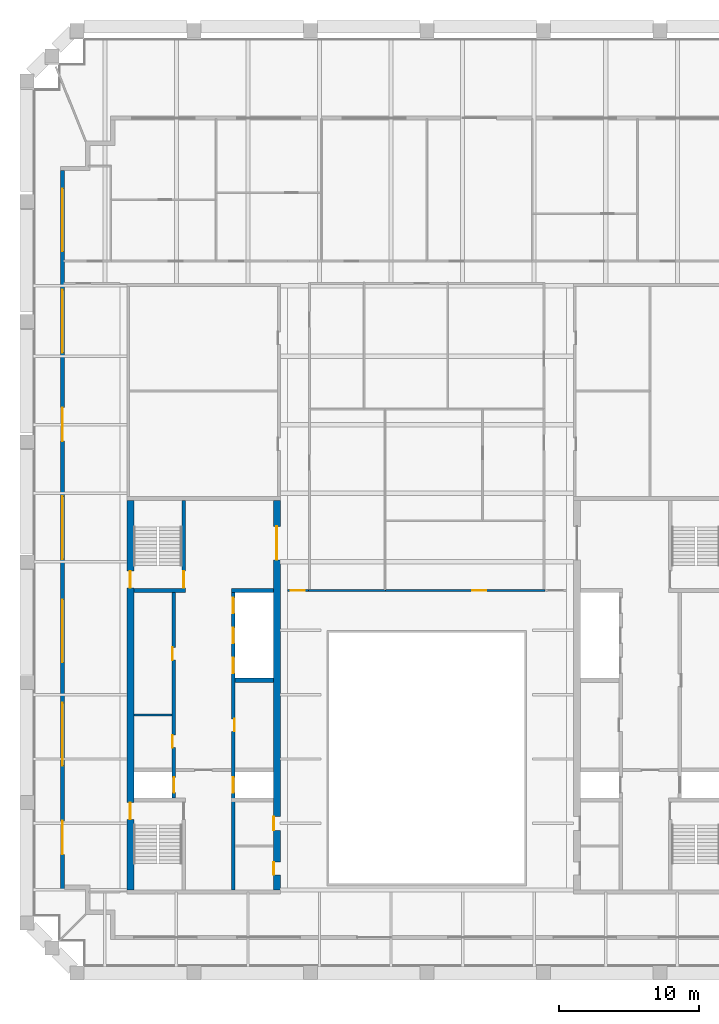
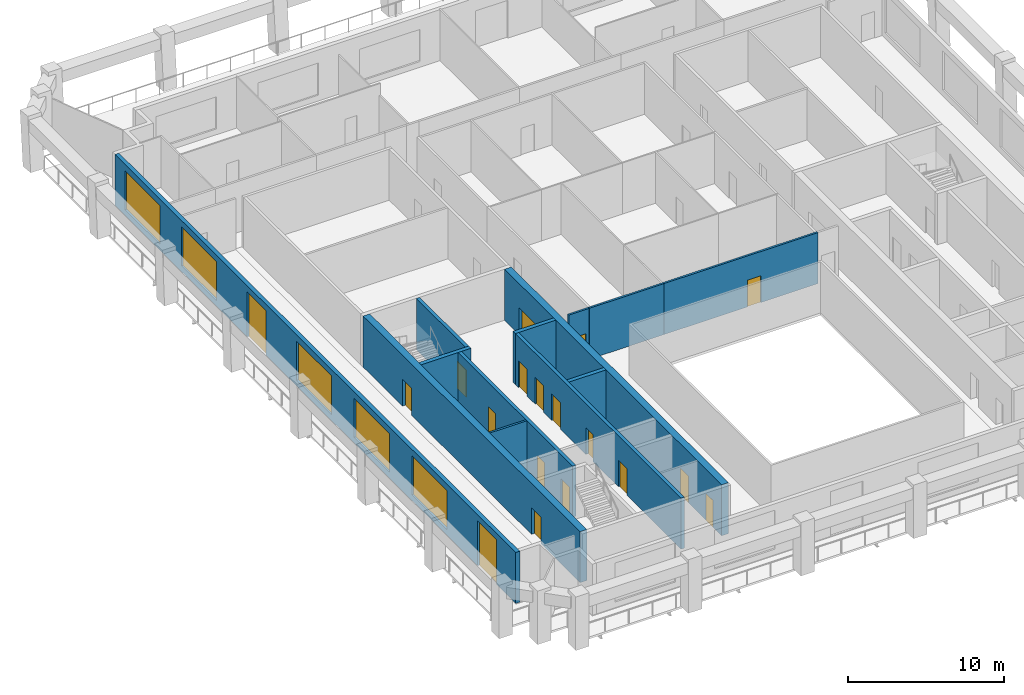
# One storey, part 3 of 8: 18 doors, 13 walls, 5 windows, 23 openings.
"""IFC4 building model written with IfcOpenShell, lengths in metres."""

import ifcopenshell
import ifcopenshell.guid

model = None  # the IFC model being written
_history = None  # IfcOwnerHistory: only IFC2X3 demands one
_inside = {}  # id of a spatial element -> (the spatial element, [elements in it])
_under = {}  # id of a project, library or spatial element -> (it, [spatial elements below it])
_declared = {}  # id of a project -> (the project, [libraries it declares])
_typed = {}  # id of a type object -> (the type object, [elements of that type])
_made_of = {}  # id of a material, layer set ... -> (it, [elements and type objects made of it])


def new_model(schema):
    """Start an empty IFC model of exactly this schema.

    Asked for "IFC4X3", IfcOpenShell would pick the latest addendum, in which some entities
    have other attributes; the version numbers below select the first issue.
    IFC2X3 requires an IfcOwnerHistory on every rooted entity: one is made here for all.
    """
    global model, _history
    if schema == "IFC4X3":
        model = ifcopenshell.file(schema_version=(4, 3, 0, 0))
    else:
        model = ifcopenshell.file(schema=schema)
    _inside.clear()
    _under.clear()
    _declared.clear()
    _typed.clear()
    _made_of.clear()
    _history = None
    if model.schema == "IFC2X3":
        org = make("IfcOrganization", Name="unknown")
        user = make(
            "IfcPersonAndOrganization",
            ThePerson=make("IfcPerson", FamilyName="unknown"),
            TheOrganization=org,
        )
        app = make(
            "IfcApplication",
            ApplicationDeveloper=org,
            Version="unknown",
            ApplicationFullName="unknown",
            ApplicationIdentifier="unknown",
        )
        _history = make(
            "IfcOwnerHistory",
            OwningUser=user,
            OwningApplication=app,
            ChangeAction="ADDED",
            CreationDate=0,
        )
    return model


def make(cls, **values):
    """One entity of the class cls with the attributes given. An attribute that is None is left unset."""
    return model.create_entity(
        cls, **{name: value for name, value in values.items() if value is not None}
    )


def rooted(cls, **values):
    """An entity with a GlobalId (a new one), such as an element, a storey or a relation."""
    return make(cls, GlobalId=ifcopenshell.guid.new(), OwnerHistory=_history, **values)


def si_unit(unit_type, name, prefix=None):
    """IfcSIUnit, for example si_unit("LENGTHUNIT", "METRE", prefix="MILLI")."""
    return make("IfcSIUnit", UnitType=unit_type, Prefix=prefix, Name=name)


def assignment(units):
    """IfcUnitAssignment: the units of a project."""
    return None if units is None else make("IfcUnitAssignment", Units=units)


def point(xyz):
    """IfcCartesianPoint."""
    return None if xyz is None else make("IfcCartesianPoint", Coordinates=xyz)


def direction(xyz):
    """IfcDirection."""
    return None if xyz is None else make("IfcDirection", DirectionRatios=xyz)


def frame(location, z_axis=None, x_axis=None):
    """IfcAxis2Placement3D, a coordinate frame: its origin and axes. An axis left out is left unset."""
    return make(
        "IfcAxis2Placement3D",
        Location=point(location),
        Axis=direction(z_axis),
        RefDirection=direction(x_axis),
    )


def frame_2d(location, x_axis=None):
    """IfcAxis2Placement2D, a coordinate frame in the plane: its origin and x axis."""
    return make(
        "IfcAxis2Placement2D", Location=point(location), RefDirection=direction(x_axis)
    )


def origin():
    """The frame at (0, 0, 0) with its axes left unset."""
    return frame((0.0, 0.0, 0.0))


def place(relative_to, where):
    """IfcLocalPlacement: puts the frame where relative to a parent placement (None: the world)."""
    return make(
        "IfcLocalPlacement", PlacementRelTo=relative_to, RelativePlacement=where
    )


def context(
    kind, dimensions, precision=None, world=None, true_north=None, identifier=None
):
    """IfcGeometricRepresentationContext, for example the 3D "Model" context."""
    return make(
        "IfcGeometricRepresentationContext",
        ContextIdentifier=identifier,
        ContextType=kind,
        CoordinateSpaceDimension=dimensions,
        Precision=precision,
        WorldCoordinateSystem=world,
        TrueNorth=true_north,
    )


def subcontext(parent, identifier, kind, view, scale=None):
    """IfcGeometricRepresentationSubContext, for example "Body" below "Model"."""
    return make(
        "IfcGeometricRepresentationSubContext",
        ContextIdentifier=identifier,
        ContextType=kind,
        ParentContext=parent,
        TargetScale=scale,
        TargetView=view,
    )


def project(units=None, contexts=None):
    """IfcProject with its units and contexts."""
    return rooted(
        "IfcProject",
        Name="project",
        RepresentationContexts=contexts,
        UnitsInContext=assignment(units),
    )


def spatial(cls, under=None, at=None, **own):
    """A site, building, storey or space (cls), placed at a placement, below another one or the project."""
    s = rooted(cls, ObjectPlacement=at, **own)
    if under is not None:
        _under.setdefault(under.id(), (under, []))[1].append(s)
    return s


def profile(cls, at=None, kind="AREA", **sizes):
    """A parametric profile (cls). Its sizes go by their IFC names, for example OverallWidth=200.0."""
    return make(cls, ProfileType=kind, Position=at, **sizes)


def rectangle(**sizes):
    """IfcRectangleProfileDef."""
    return profile("IfcRectangleProfileDef", **sizes)


def extrude(swept, where, along, depth):
    """IfcExtrudedAreaSolid: the profile swept, set in the frame where, extruded along a direction by depth."""
    return make(
        "IfcExtrudedAreaSolid",
        SweptArea=swept,
        Position=where,
        ExtrudedDirection=direction(along),
        Depth=depth,
    )


def shape(context_of_items, identifier, shape_type, items):
    """IfcShapeRepresentation: the items that make up one representation, for example the "Body"."""
    return make(
        "IfcShapeRepresentation",
        ContextOfItems=context_of_items,
        RepresentationIdentifier=identifier,
        RepresentationType=shape_type,
        Items=items,
    )


def material(Name=None, Category=None):
    """IfcMaterial."""
    return make("IfcMaterial", Name=Name, Category=Category)


def layer(
    of_material, thickness, ventilated=None, Name=None, Category=None, Priority=None
):
    """IfcMaterialLayer: one layer of a wall or slab, of a material (None: an air gap)."""
    return make(
        "IfcMaterialLayer",
        Material=of_material,
        LayerThickness=thickness,
        IsVentilated=ventilated,
        Name=Name,
        Category=Category,
        Priority=Priority,
    )


def layer_set(layers, Name=None):
    """IfcMaterialLayerSet."""
    return make("IfcMaterialLayerSet", MaterialLayers=layers, LayerSetName=Name)


def made_of(thing, what):
    """Note that an element or type object is made of a material, layer set ...; save() writes the relation."""
    if what is not None:
        _made_of.setdefault(what.id(), (what, []))[1].append(thing)
    return thing


def type_object(cls, material=None, **own):
    """A type object (cls), such as IfcWallType, which elements share."""
    return made_of(rooted(cls, **own), material)


def element(
    cls,
    number,
    at=None,
    inside=None,
    cuts=None,
    type_object=None,
    material=None,
    context=None,
    identifier="Body",
    shape_type=None,
    held_by="IfcProductDefinitionShape",
    body=None,
    shapes=None,
    **own,
):
    """One element of the class cls, such as IfcWall. Its Tag is "e" and its number.

    at: its placement. inside: the storey or other place that contains it. cuts: it is an
    opening in that element (IfcRelVoidsElement). A single representation is given by context,
    identifier, shape_type and body (its items); several are given by shapes. held_by: the class
    of the entity that holds the representations. save() writes the other relations.
    """
    e = rooted(cls, Tag="e%d" % number, ObjectPlacement=at, **own)
    if body is not None:
        shapes = [shape(context, identifier, shape_type, body)]
    if shapes is not None:
        e.Representation = make(held_by, Representations=shapes)
    if inside is not None:
        _inside.setdefault(inside.id(), (inside, []))[1].append(e)
    if cuts is not None:
        rooted(
            "IfcRelVoidsElement", RelatingBuildingElement=cuts, RelatedOpeningElement=e
        )
    if type_object is not None:
        _typed.setdefault(type_object.id(), (type_object, []))[1].append(e)
    return made_of(e, material)


def fill(opening, filler):
    """IfcRelFillsElement: the door or window that sits in an opening."""
    return rooted(
        "IfcRelFillsElement",
        RelatingOpeningElement=opening,
        RelatedBuildingElement=filler,
    )


def aggregate(whole, parts):
    """IfcRelAggregates: a whole, such as a stair, and the parts it consists of."""
    return rooted("IfcRelAggregates", RelatingObject=whole, RelatedObjects=parts)


def save(model, path):
    """Write the relations noted so far, then the file.

    IfcRelAggregates (storeys below a building ...), IfcRelContainedInSpatialStructure (elements
    in a storey), IfcRelDefinesByType, IfcRelAssociatesMaterial and IfcRelDeclares: one each for
    every whole, place, type object, material and project.
    """
    for whole, parts in _under.values():
        aggregate(whole, parts)
    for where, things in _inside.values():
        rooted(
            "IfcRelContainedInSpatialStructure",
            RelatedElements=things,
            RelatingStructure=where,
        )
    for kind, things in _typed.values():
        rooted("IfcRelDefinesByType", RelatedObjects=things, RelatingType=kind)
    for what, things in _made_of.values():
        rooted("IfcRelAssociatesMaterial", RelatedObjects=things, RelatingMaterial=what)
    for by, libraries in _declared.values():
        rooted("IfcRelDeclares", RelatingContext=by, RelatedDefinitions=libraries)
    model.write(path)


model = new_model("IFC4")

# Units and contexts
model_context = context("Model", 3, precision=1e-05, world=origin(), true_north=direction((0.0, 1.0)))
body_context = subcontext(model_context, "Body", "Model", "MODEL_VIEW")
ifc_project = project(units=[si_unit("LENGTHUNIT", "METRE"), si_unit("AREAUNIT", "SQUARE_METRE"), si_unit("VOLUMEUNIT", "CUBIC_METRE"), si_unit("PLANEANGLEUNIT", "RADIAN"), si_unit("MASSUNIT", "GRAM", prefix="KILO")], contexts=[model_context])

# Site, building, storey
site_placement = place(None, origin())
site = spatial("IfcSite", under=ifc_project, at=site_placement, CompositionType="ELEMENT")
building_placement = place(site_placement, origin())
building = spatial("IfcBuilding", under=site, at=building_placement, Name="Ogive Exchange Tower", CompositionType="ELEMENT")
storey_placement = place(building_placement, frame((0.0, 0.0, 342.60009765625)))
storey = spatial("IfcBuildingStorey", under=building, at=storey_placement, Name="L75", CompositionType="ELEMENT", Elevation=342.60009765625)

# Walls
ifc_material_1 = material(Name="Gypsum board partition")
ifc_layer_1 = layer(ifc_material_1, 0.14990234375)
ifc_layer_set_1 = layer_set([ifc_layer_1], Name="Core room partition 150 gypsum")
wall_type_1 = type_object("IfcWallType", Name="Core room partition 150 gypsum", PredefinedType="PARTITIONING", material=ifc_layer_set_1)
wall_1_placement = place(storey_placement, frame((-21.0, 10.10009765625, 0.0), z_axis=(0.0, 0.0, 1.0), x_axis=(1.0, 0.0, 0.0)))
element("IfcWall", 1, at=wall_1_placement, inside=storey, type_object=wall_type_1, Name="W row A bay partition 1-1", PredefinedType="PARTITIONING", context=body_context, shape_type="SweptSolid", body=[
    extrude(rectangle(XDim=2.75, YDim=0.14990234375, at=frame_2d((1.375, 0.0))), origin(), (0.0, 0.0, 1.0), 4.0),
])
ifc_material_2 = material(Name="Fire partition EI 60 150")
ifc_layer_2 = layer(ifc_material_2, 0.14990234375)
ifc_layer_set_2 = layer_set([ifc_layer_2], Name="Fire partition EI 60 150")
wall_type_2 = type_object("IfcWallType", Name="Fire partition EI 60 150", PredefinedType="PARTITIONING", material=ifc_layer_set_2)
wall_2_placement = place(storey_placement, frame((-8.47509765625, 19.0, 0.0), z_axis=(0.0, 0.0, 1.0), x_axis=(1.0, 0.0, 0.0)))
element("IfcWall", 2, at=wall_2_placement, inside=storey, type_object=wall_type_2, Name="L75-PWL-015", PredefinedType="PARTITIONING", context=body_context, shape_type="SweptSolid", body=[
    extrude(rectangle(XDim=5.525146484375, YDim=0.14990234375, at=frame_2d((2.7626953125, 0.0))), origin(), (0.0, 0.0, 1.0), 4.0),
])

# Wall, opening, door
wall_3_placement = place(storey_placement, frame((-3.0, 19.0, 0.0), z_axis=(0.0, 0.0, 1.0), x_axis=(1.0, 0.0, 0.0)))
wall_3 = element("IfcWall", 3, at=wall_3_placement, inside=storey, type_object=wall_type_2, Name="L75-PWL-026", PredefinedType="PARTITIONING", context=body_context, shape_type="SweptSolid", body=[
    extrude(rectangle(XDim=11.47509765625, YDim=0.14990234375, at=frame_2d((5.737548828125, 0.0))), origin(), (0.0, 0.0, 1.0), 4.0),
])
opening_1_placement = place(wall_3_placement, frame((6.25, 0.0, 0.0)))
opening_1 = element("IfcOpeningElement", 4, at=opening_1_placement, cuts=wall_3, Name="Opening L75-I15", PredefinedType="OPENING", context=body_context, shape_type="SweptSolid", body=[
    extrude(rectangle(XDim=1.0, YDim=2.10009765625, at=frame_2d((0.5, 1.050048828125))), frame((0.0, 0.0849609375, 0.0), z_axis=(0.0, -1.0, 0.0), x_axis=(1.0, 0.0, 0.0)), (0.0, 0.0, 1.0), 0.169921875),
])
ifc_material_3 = material(Name="Fire door FD 30S 1000 x 2100")
door_type_1 = type_object("IfcDoorType", Name="Fire door FD 30S 1000 x 2100", OperationType="NOTDEFINED", PredefinedType="DOOR", material=ifc_material_3)
door_1_placement = place(opening_1_placement, origin())
door_1 = element("IfcDoor", 5, at=door_1_placement, inside=storey, type_object=door_type_1, Name="L75-IDR-015", ObjectType="DT3", OperationType="SINGLE_SWING_LEFT", OverallHeight=2.10009765625, OverallWidth=1.0, PredefinedType="DOOR", context=body_context, shape_type="SweptSolid", body=[
    extrude(rectangle(XDim=1.0, YDim=2.10009765625, at=frame_2d((0.5, 1.050048828125))), frame((0.0, 0.02490234375, 0.0), z_axis=(0.0, -1.0, 0.0), x_axis=(1.0, 0.0, 0.0)), (0.0, 0.0, 1.0), 0.050048828125),
])
fill(opening_1, door_1)

wall_4_placement = place(storey_placement, frame((-10.0, 19.0, 0.0), z_axis=(0.0, 0.0, 1.0), x_axis=(1.0, 0.0, 0.0)))
wall_4 = element("IfcWall", 6, at=wall_4_placement, inside=storey, type_object=wall_type_2, Name="L75-PWL-055", PredefinedType="PARTITIONING", context=body_context, shape_type="SweptSolid", body=[
    extrude(rectangle(XDim=1.514892578125, YDim=0.14990234375, at=frame_2d((0.75732421875, 0.0))), origin(), (0.0, 0.0, 1.0), 4.0),
])
opening_2_placement = place(wall_4_placement, frame((0.258056640625, 0.0, 0.0)))
opening_2 = element("IfcOpeningElement", 7, at=opening_2_placement, cuts=wall_4, Name="Opening L75-I21", PredefinedType="OPENING", context=body_context, shape_type="SweptSolid", body=[
    extrude(rectangle(XDim=1.0, YDim=2.10009765625, at=frame_2d((0.5, 1.050048828125))), frame((0.0, 0.0849609375, 0.0), z_axis=(0.0, -1.0, 0.0), x_axis=(1.0, 0.0, 0.0)), (0.0, 0.0, 1.0), 0.169921875),
])
door_2_placement = place(opening_2_placement, origin())
door_2 = element("IfcDoor", 8, at=door_2_placement, inside=storey, type_object=door_type_1, Name="L75-IDR-021", ObjectType="DT3", OperationType="SINGLE_SWING_LEFT", OverallHeight=2.10009765625, OverallWidth=1.0, PredefinedType="DOOR", context=body_context, shape_type="SweptSolid", body=[
    extrude(rectangle(XDim=1.0, YDim=2.10009765625, at=frame_2d((0.5, 1.050048828125))), frame((0.0, 0.02490234375, 0.0), z_axis=(0.0, -1.0, 0.0), x_axis=(1.0, 0.0, 0.0)), (0.0, 0.0, 1.0), 0.050048828125),
])
fill(opening_2, door_2)

# Wall, openings, doors, windows
ifc_material_4 = material(Name="Precast concrete C40/50", Category="concrete")
ifc_layer_3 = layer(ifc_material_4, 0.300048828125)
ifc_layer_set_3 = layer_set([ifc_layer_3], Name="Limestone-faced wall 300")
wall_type_3 = type_object("IfcWallType", Name="Limestone-faced wall 300", PredefinedType="STANDARD", material=ifc_layer_set_3)
wall_5_placement = place(storey_placement, frame((-26.10009765625, 49.10009765625, 0.0), z_axis=(0.0, 0.0, 1.0), x_axis=(0.0, -1.0, 0.0)))
wall_5 = element("IfcWall", 9, at=wall_5_placement, inside=storey, type_object=wall_type_3, Name="External wall W4", PredefinedType="STANDARD", context=body_context, shape_type="SweptSolid", body=[
    extrude(rectangle(XDim=51.5, YDim=0.300048828125, at=frame_2d((25.75, 0.0))), origin(), (0.0, 0.0, 1.0), 4.0),
])
opening_3_placement = place(wall_5_placement, frame((1.300048828125, 0.0, 0.449951171875)))
opening_3 = element("IfcOpeningElement", 10, at=opening_3_placement, cuts=wall_5, Name="Opening W1", PredefinedType="OPENING", context=body_context, shape_type="SweptSolid", body=[
    extrude(rectangle(XDim=4.5, YDim=3.050048828125, at=frame_2d((2.25, 1.52490234375))), frame((0.0, 0.159912109375, 0.0), z_axis=(0.0, -1.0, 0.0), x_axis=(1.0, 0.0, 0.0)), (0.0, 0.0, 1.0), 0.320068359375),
])
opening_4_placement = place(wall_5_placement, frame((8.550048828125, 0.0, 0.449951171875)))
opening_4 = element("IfcOpeningElement", 11, at=opening_4_placement, cuts=wall_5, Name="Opening W1", PredefinedType="OPENING", context=body_context, shape_type="SweptSolid", body=[
    extrude(rectangle(XDim=4.5, YDim=3.050048828125, at=frame_2d((2.25, 1.52490234375))), frame((0.0, 0.159912109375, 0.0), z_axis=(0.0, -1.0, 0.0), x_axis=(1.0, 0.0, 0.0)), (0.0, 0.0, 1.0), 0.320068359375),
])
opening_5_placement = place(wall_5_placement, frame((17.0, 0.0, 0.0)))
opening_5 = element("IfcOpeningElement", 12, at=opening_5_placement, cuts=wall_5, Name="Opening D1", PredefinedType="OPENING", context=body_context, shape_type="SweptSolid", body=[
    extrude(rectangle(XDim=2.39990234375, YDim=3.5, at=frame_2d((1.199951171875, 1.75))), frame((0.0, 0.159912109375, 0.0), z_axis=(0.0, -1.0, 0.0), x_axis=(1.0, 0.0, 0.0)), (0.0, 0.0, 1.0), 0.320068359375),
])
opening_6_placement = place(wall_5_placement, frame((23.35009765625, 0.0, 0.449951171875)))
opening_6 = element("IfcOpeningElement", 13, at=opening_6_placement, cuts=wall_5, Name="Opening W1", PredefinedType="OPENING", context=body_context, shape_type="SweptSolid", body=[
    extrude(rectangle(XDim=4.5, YDim=3.050048828125, at=frame_2d((2.25, 1.52490234375))), frame((0.0, 0.159912109375, 0.0), z_axis=(0.0, -1.0, 0.0), x_axis=(1.0, 0.0, 0.0)), (0.0, 0.0, 1.0), 0.320068359375),
])
opening_7_placement = place(wall_5_placement, frame((30.75, 0.0, 0.449951171875)))
opening_7 = element("IfcOpeningElement", 14, at=opening_7_placement, cuts=wall_5, Name="Opening W1", PredefinedType="OPENING", context=body_context, shape_type="SweptSolid", body=[
    extrude(rectangle(XDim=4.5, YDim=3.050048828125, at=frame_2d((2.25, 1.52490234375))), frame((0.0, 0.159912109375, 0.0), z_axis=(0.0, -1.0, 0.0), x_axis=(1.0, 0.0, 0.0)), (0.0, 0.0, 1.0), 0.320068359375),
])
opening_8_placement = place(wall_5_placement, frame((38.14990234375, 0.0, 0.449951171875)))
opening_8 = element("IfcOpeningElement", 15, at=opening_8_placement, cuts=wall_5, Name="Opening W1", PredefinedType="OPENING", context=body_context, shape_type="SweptSolid", body=[
    extrude(rectangle(XDim=4.5, YDim=3.050048828125, at=frame_2d((2.25, 1.52490234375))), frame((0.0, 0.159912109375, 0.0), z_axis=(0.0, -1.0, 0.0), x_axis=(1.0, 0.0, 0.0)), (0.0, 0.0, 1.0), 0.320068359375),
])
opening_9_placement = place(wall_5_placement, frame((46.60009765625, 0.0, 0.0)))
opening_9 = element("IfcOpeningElement", 16, at=opening_9_placement, cuts=wall_5, Name="Opening D1", PredefinedType="OPENING", context=body_context, shape_type="SweptSolid", body=[
    extrude(rectangle(XDim=2.39990234375, YDim=3.5, at=frame_2d((1.199951171875, 1.75))), frame((0.0, 0.159912109375, 0.0), z_axis=(0.0, -1.0, 0.0), x_axis=(1.0, 0.0, 0.0)), (0.0, 0.0, 1.0), 0.320068359375),
])
ifc_material_5 = material(Name="Clear glass in bronze frame", Category="glass")
door_type_2 = type_object("IfcDoorType", Name="Sliding loggia door 2400 x 3500", OperationType="DOUBLE_DOOR_SLIDING", PredefinedType="DOOR", material=ifc_material_5)
door_3_placement = place(opening_5_placement, origin())
door_3 = element("IfcDoor", 17, at=door_3_placement, inside=storey, type_object=door_type_2, Name="Loggia door W02", OperationType="DOUBLE_DOOR_SLIDING", OverallHeight=3.5, OverallWidth=2.39990234375, PredefinedType="DOOR", context=body_context, shape_type="SweptSolid", body=[
    extrude(rectangle(XDim=2.39990234375, YDim=3.5, at=frame_2d((1.199951171875, 1.75))), frame((0.0, 0.02490234375, 0.0), z_axis=(0.0, -1.0, 0.0), x_axis=(1.0, 0.0, 0.0)), (0.0, 0.0, 1.0), 0.050048828125),
])
fill(opening_5, door_3)
door_4_placement = place(opening_9_placement, origin())
door_4 = element("IfcDoor", 18, at=door_4_placement, inside=storey, type_object=door_type_2, Name="Loggia door W06", OperationType="DOUBLE_DOOR_SLIDING", OverallHeight=3.5, OverallWidth=2.39990234375, PredefinedType="DOOR", context=body_context, shape_type="SweptSolid", body=[
    extrude(rectangle(XDim=2.39990234375, YDim=3.5, at=frame_2d((1.199951171875, 1.75))), frame((0.0, 0.02490234375, 0.0), z_axis=(0.0, -1.0, 0.0), x_axis=(1.0, 0.0, 0.0)), (0.0, 0.0, 1.0), 0.050048828125),
])
fill(opening_9, door_4)
window_type = type_object("IfcWindowType", Name="Twin lancet window 4500 x 3050", PartitioningType="DOUBLE_PANEL_VERTICAL", PredefinedType="WINDOW", material=ifc_material_5)
window_1_placement = place(opening_3_placement, origin())
window_1 = element("IfcWindow", 19, at=window_1_placement, inside=storey, type_object=window_type, Name="Window W00", OverallHeight=3.050048828125, OverallWidth=4.5, PartitioningType="DOUBLE_PANEL_VERTICAL", PredefinedType="WINDOW", context=body_context, shape_type="SweptSolid", body=[
    extrude(rectangle(XDim=4.5, YDim=3.050048828125, at=frame_2d((2.25, 1.52490234375))), frame((0.0, 0.030029296875, 0.0), z_axis=(0.0, -1.0, 0.0), x_axis=(1.0, 0.0, 0.0)), (0.0, 0.0, 1.0), 0.06005859375),
])
fill(opening_3, window_1)
window_2_placement = place(opening_4_placement, origin())
window_2 = element("IfcWindow", 20, at=window_2_placement, inside=storey, type_object=window_type, Name="Window W01", OverallHeight=3.050048828125, OverallWidth=4.5, PartitioningType="DOUBLE_PANEL_VERTICAL", PredefinedType="WINDOW", context=body_context, shape_type="SweptSolid", body=[
    extrude(rectangle(XDim=4.5, YDim=3.050048828125, at=frame_2d((2.25, 1.52490234375))), frame((0.0, 0.030029296875, 0.0), z_axis=(0.0, -1.0, 0.0), x_axis=(1.0, 0.0, 0.0)), (0.0, 0.0, 1.0), 0.06005859375),
])
fill(opening_4, window_2)
window_3_placement = place(opening_6_placement, origin())
window_3 = element("IfcWindow", 21, at=window_3_placement, inside=storey, type_object=window_type, Name="Window W03", OverallHeight=3.050048828125, OverallWidth=4.5, PartitioningType="DOUBLE_PANEL_VERTICAL", PredefinedType="WINDOW", context=body_context, shape_type="SweptSolid", body=[
    extrude(rectangle(XDim=4.5, YDim=3.050048828125, at=frame_2d((2.25, 1.52490234375))), frame((0.0, 0.030029296875, 0.0), z_axis=(0.0, -1.0, 0.0), x_axis=(1.0, 0.0, 0.0)), (0.0, 0.0, 1.0), 0.06005859375),
])
fill(opening_6, window_3)
window_4_placement = place(opening_7_placement, origin())
window_4 = element("IfcWindow", 22, at=window_4_placement, inside=storey, type_object=window_type, Name="Window W04", OverallHeight=3.050048828125, OverallWidth=4.5, PartitioningType="DOUBLE_PANEL_VERTICAL", PredefinedType="WINDOW", context=body_context, shape_type="SweptSolid", body=[
    extrude(rectangle(XDim=4.5, YDim=3.050048828125, at=frame_2d((2.25, 1.52490234375))), frame((0.0, 0.030029296875, 0.0), z_axis=(0.0, -1.0, 0.0), x_axis=(1.0, 0.0, 0.0)), (0.0, 0.0, 1.0), 0.06005859375),
])
fill(opening_7, window_4)
window_5_placement = place(opening_8_placement, origin())
window_5 = element("IfcWindow", 23, at=window_5_placement, inside=storey, type_object=window_type, Name="Window W05", OverallHeight=3.050048828125, OverallWidth=4.5, PartitioningType="DOUBLE_PANEL_VERTICAL", PredefinedType="WINDOW", context=body_context, shape_type="SweptSolid", body=[
    extrude(rectangle(XDim=4.5, YDim=3.050048828125, at=frame_2d((2.25, 1.52490234375))), frame((0.0, 0.030029296875, 0.0), z_axis=(0.0, -1.0, 0.0), x_axis=(1.0, 0.0, 0.0)), (0.0, 0.0, 1.0), 0.06005859375),
])
fill(opening_8, window_5)

# Wall, opening, door
ifc_material_6 = material(Name="Concrete C70/85", Category="concrete")
ifc_layer_4 = layer(ifc_material_6, 0.25)
ifc_layer_set_4 = layer_set([ifc_layer_4], Name="RC core wall 250 C70/85")
wall_type_4 = type_object("IfcWallType", Name="RC core wall 250 C70/85", PredefinedType="SHEAR", material=ifc_layer_set_4)
wall_6_placement = place(storey_placement, frame((-17.425048828125, 19.14990234375, 0.0), z_axis=(0.0, 0.0, 1.0), x_axis=(0.0, 1.0, 0.0)))
wall_6 = element("IfcWall", 24, at=wall_6_placement, inside=storey, type_object=wall_type_4, Name="W stair N front wall", PredefinedType="SHEAR", context=body_context, shape_type="SweptSolid", body=[
    extrude(rectangle(XDim=6.300048828125, YDim=0.25, at=frame_2d((3.14990234375, 0.0))), origin(), (0.0, 0.0, 1.0), 4.0),
])
opening_10_placement = place(wall_6_placement, frame((0.050048828125, 0.0, 0.0)))
opening_10 = element("IfcOpeningElement", 25, at=opening_10_placement, cuts=wall_6, Name="Opening L75-C13", PredefinedType="OPENING", context=body_context, shape_type="SweptSolid", body=[
    extrude(rectangle(XDim=1.199951171875, YDim=2.10009765625, at=frame_2d((0.60009765625, 1.050048828125))), frame((0.0, 0.135009765625, 0.0), z_axis=(0.0, -1.0, 0.0), x_axis=(1.0, 0.0, 0.0)), (0.0, 0.0, 1.0), 0.27001953125),
])
ifc_material_7 = material(Name="Steel fire door", Category="steel")
door_type_3 = type_object("IfcDoorType", Name="Stair door FD90 1200 x 2100", OperationType="NOTDEFINED", PredefinedType="DOOR", material=ifc_material_7)
door_5_placement = place(opening_10_placement, origin())
door_5 = element("IfcDoor", 26, at=door_5_placement, inside=storey, type_object=door_type_3, Name="Stair door", ObjectType="CD5", OperationType="SINGLE_SWING_RIGHT", OverallHeight=2.10009765625, OverallWidth=1.199951171875, PredefinedType="DOOR", context=body_context, shape_type="SweptSolid", body=[
    extrude(rectangle(XDim=1.199951171875, YDim=2.10009765625, at=frame_2d((0.60009765625, 1.050048828125))), frame((0.0, 0.02490234375, 0.0), z_axis=(0.0, -1.0, 0.0), x_axis=(1.0, 0.0, 0.0)), (0.0, 0.0, 1.0), 0.050048828125),
])
fill(opening_10, door_5)

# Wall, openings, doors
wall_7_placement = place(storey_placement, frame((-18.125, 4.14990234375, 0.0), z_axis=(0.0, 0.0, 1.0), x_axis=(0.0, 1.0, 0.0)))
wall_7 = element("IfcWall", 27, at=wall_7_placement, inside=storey, type_object=wall_type_4, Name="W row A front wall", PredefinedType="SHEAR", context=body_context, shape_type="SweptSolid", body=[
    extrude(rectangle(XDim=14.7001953125, YDim=0.25, at=frame_2d((7.35009765625, 0.0))), origin(), (0.0, 0.0, 1.0), 4.0),
])
opening_11_placement = place(wall_7_placement, frame((3.596435546875, 0.0, 0.0)))
opening_11 = element("IfcOpeningElement", 28, at=opening_11_placement, cuts=wall_7, Name="Opening L75-C01", PredefinedType="OPENING", context=body_context, shape_type="SweptSolid", body=[
    extrude(rectangle(XDim=0.89990234375, YDim=2.10009765625, at=frame_2d((0.449951171875, 1.050048828125))), frame((0.0, 0.135009765625, 0.0), z_axis=(0.0, -1.0, 0.0), x_axis=(1.0, 0.0, 0.0)), (0.0, 0.0, 1.0), 0.27001953125),
])
opening_12_placement = place(wall_7_placement, frame((9.875, 0.0, 0.0)))
opening_12 = element("IfcOpeningElement", 29, at=opening_12_placement, cuts=wall_7, Name="Opening L75-C02", PredefinedType="OPENING", context=body_context, shape_type="SweptSolid", body=[
    extrude(rectangle(XDim=0.89990234375, YDim=2.10009765625, at=frame_2d((0.449951171875, 1.050048828125))), frame((0.0, 0.135009765625, 0.0), z_axis=(0.0, -1.0, 0.0), x_axis=(1.0, 0.0, 0.0)), (0.0, 0.0, 1.0), 0.27001953125),
])
opening_13_placement = place(wall_7_placement, frame((0.371337890625, 0.0, 0.0)))
opening_13 = element("IfcOpeningElement", 30, at=opening_13_placement, cuts=wall_7, Name="Opening L75-C03", PredefinedType="OPENING", context=body_context, shape_type="SweptSolid", body=[
    extrude(rectangle(XDim=1.10009765625, YDim=2.10009765625, at=frame_2d((0.550048828125, 1.050048828125))), frame((0.0, 0.135009765625, 0.0), z_axis=(0.0, -1.0, 0.0), x_axis=(1.0, 0.0, 0.0)), (0.0, 0.0, 1.0), 0.27001953125),
])
ifc_material_8 = material(Name="Stainless steel", Category="steel")
door_type_4 = type_object("IfcDoorType", Name="Lift landing door FD90 1100 x 2100", OperationType="SLIDING_TO_LEFT", PredefinedType="DOOR", material=ifc_material_8)
door_6_placement = place(opening_13_placement, origin())
door_6 = element("IfcDoor", 31, at=door_6_placement, inside=storey, type_object=door_type_4, Name="Lift landing door FF1", ObjectType="LD", OperationType="SLIDING_TO_LEFT", OverallHeight=2.10009765625, OverallWidth=1.10009765625, PredefinedType="DOOR", context=body_context, shape_type="SweptSolid", body=[
    extrude(rectangle(XDim=1.10009765625, YDim=2.10009765625, at=frame_2d((0.550048828125, 1.050048828125))), frame((0.0, 0.02490234375, 0.0), z_axis=(0.0, -1.0, 0.0), x_axis=(1.0, 0.0, 0.0)), (0.0, 0.0, 1.0), 0.050048828125),
])
fill(opening_13, door_6)
door_type_5 = type_object("IfcDoorType", Name="Riser door FD60 900 x 2100", OperationType="NOTDEFINED", PredefinedType="DOOR", material=ifc_material_7)
door_7_placement = place(opening_11_placement, origin())
door_7 = element("IfcDoor", 32, at=door_7_placement, inside=storey, type_object=door_type_5, Name="Riser door", ObjectType="CD2", OperationType="SINGLE_SWING_LEFT", OverallHeight=2.10009765625, OverallWidth=0.89990234375, PredefinedType="DOOR", context=body_context, shape_type="SweptSolid", body=[
    extrude(rectangle(XDim=0.89990234375, YDim=2.10009765625, at=frame_2d((0.449951171875, 1.050048828125))), frame((0.0, 0.125, 0.0), z_axis=(0.0, -1.0, 0.0), x_axis=(1.0, 0.0, 0.0)), (0.0, 0.0, 1.0), 0.050048828125),
])
fill(opening_11, door_7)
door_8_placement = place(opening_12_placement, origin())
door_8 = element("IfcDoor", 33, at=door_8_placement, inside=storey, type_object=door_type_5, Name="Riser door", ObjectType="CD2", OperationType="SINGLE_SWING_LEFT", OverallHeight=2.10009765625, OverallWidth=0.89990234375, PredefinedType="DOOR", context=body_context, shape_type="SweptSolid", body=[
    extrude(rectangle(XDim=0.89990234375, YDim=2.10009765625, at=frame_2d((0.449951171875, 1.050048828125))), frame((0.0, 0.125, 0.0), z_axis=(0.0, -1.0, 0.0), x_axis=(1.0, 0.0, 0.0)), (0.0, 0.0, 1.0), 0.050048828125),
])
fill(opening_12, door_8)

wall_8_placement = place(storey_placement, frame((-13.875, -2.449951171875, 0.0), z_axis=(0.0, 0.0, 1.0), x_axis=(0.0, 1.0, 0.0)))
wall_8 = element("IfcWall", 34, at=wall_8_placement, inside=storey, type_object=wall_type_4, Name="W row B front wall", PredefinedType="SHEAR", context=body_context, shape_type="SweptSolid", body=[
    extrude(rectangle(XDim=21.300048828125, YDim=0.25, at=frame_2d((10.64990234375, 0.0))), origin(), (0.0, 0.0, 1.0), 4.0),
])
opening_14_placement = place(wall_8_placement, frame((11.357177734375, 0.0, 0.0)))
opening_14 = element("IfcOpeningElement", 35, at=opening_14_placement, cuts=wall_8, Name="Opening L75-C04", PredefinedType="OPENING", context=body_context, shape_type="SweptSolid", body=[
    extrude(rectangle(XDim=0.89990234375, YDim=2.10009765625, at=frame_2d((0.449951171875, 1.050048828125))), frame((0.0, 0.135009765625, 0.0), z_axis=(0.0, -1.0, 0.0), x_axis=(1.0, 0.0, 0.0)), (0.0, 0.0, 1.0), 0.27001953125),
])
opening_15_placement = place(wall_8_placement, frame((6.971435546875, 0.0, 0.0)))
opening_15 = element("IfcOpeningElement", 36, at=opening_15_placement, cuts=wall_8, Name="Opening L75-C05", PredefinedType="OPENING", context=body_context, shape_type="SweptSolid", body=[
    extrude(rectangle(XDim=1.10009765625, YDim=2.10009765625, at=frame_2d((0.550048828125, 1.050048828125))), frame((0.0, 0.135009765625, 0.0), z_axis=(0.0, -1.0, 0.0), x_axis=(1.0, 0.0, 0.0)), (0.0, 0.0, 1.0), 0.27001953125),
])
opening_16_placement = place(wall_8_placement, frame((15.54296875, 0.0, 0.0)))
opening_16 = element("IfcOpeningElement", 37, at=opening_16_placement, cuts=wall_8, Name="Opening L75-C06", PredefinedType="OPENING", context=body_context, shape_type="SweptSolid", body=[
    extrude(rectangle(XDim=1.10009765625, YDim=2.10009765625, at=frame_2d((0.550048828125, 1.050048828125))), frame((0.0, 0.135009765625, 0.0), z_axis=(0.0, -1.0, 0.0), x_axis=(1.0, 0.0, 0.0)), (0.0, 0.0, 1.0), 0.27001953125),
])
opening_17_placement = place(wall_8_placement, frame((17.685791015625, 0.0, 0.0)))
opening_17 = element("IfcOpeningElement", 38, at=opening_17_placement, cuts=wall_8, Name="Opening L75-C07", PredefinedType="OPENING", context=body_context, shape_type="SweptSolid", body=[
    extrude(rectangle(XDim=1.10009765625, YDim=2.10009765625, at=frame_2d((0.550048828125, 1.050048828125))), frame((0.0, 0.135009765625, 0.0), z_axis=(0.0, -1.0, 0.0), x_axis=(1.0, 0.0, 0.0)), (0.0, 0.0, 1.0), 0.27001953125),
])
opening_18_placement = place(wall_8_placement, frame((19.82861328125, 0.0, 0.0)))
opening_18 = element("IfcOpeningElement", 39, at=opening_18_placement, cuts=wall_8, Name="Opening L75-C08", PredefinedType="OPENING", context=body_context, shape_type="SweptSolid", body=[
    extrude(rectangle(XDim=1.10009765625, YDim=2.10009765625, at=frame_2d((0.550048828125, 1.050048828125))), frame((0.0, 0.135009765625, 0.0), z_axis=(0.0, -1.0, 0.0), x_axis=(1.0, 0.0, 0.0)), (0.0, 0.0, 1.0), 0.27001953125),
])
door_9_placement = place(opening_15_placement, origin())
door_9 = element("IfcDoor", 40, at=door_9_placement, inside=storey, type_object=door_type_4, Name="Lift landing door SV1", ObjectType="LD", OperationType="SLIDING_TO_LEFT", OverallHeight=2.10009765625, OverallWidth=1.10009765625, PredefinedType="DOOR", context=body_context, shape_type="SweptSolid", body=[
    extrude(rectangle(XDim=1.10009765625, YDim=2.10009765625, at=frame_2d((0.550048828125, 1.050048828125))), frame((0.0, 0.02490234375, 0.0), z_axis=(0.0, -1.0, 0.0), x_axis=(1.0, 0.0, 0.0)), (0.0, 0.0, 1.0), 0.050048828125),
])
fill(opening_15, door_9)
door_10_placement = place(opening_16_placement, origin())
door_10 = element("IfcDoor", 41, at=door_10_placement, inside=storey, type_object=door_type_4, Name="Lift landing door W-H1", ObjectType="LD", OperationType="SLIDING_TO_LEFT", OverallHeight=2.10009765625, OverallWidth=1.10009765625, PredefinedType="DOOR", context=body_context, shape_type="SweptSolid", body=[
    extrude(rectangle(XDim=1.10009765625, YDim=2.10009765625, at=frame_2d((0.550048828125, 1.050048828125))), frame((0.0, 0.02490234375, 0.0), z_axis=(0.0, -1.0, 0.0), x_axis=(1.0, 0.0, 0.0)), (0.0, 0.0, 1.0), 0.050048828125),
])
fill(opening_16, door_10)
door_11_placement = place(opening_17_placement, origin())
door_11 = element("IfcDoor", 42, at=door_11_placement, inside=storey, type_object=door_type_4, Name="Lift landing door W-H2", ObjectType="LD", OperationType="SLIDING_TO_LEFT", OverallHeight=2.10009765625, OverallWidth=1.10009765625, PredefinedType="DOOR", context=body_context, shape_type="SweptSolid", body=[
    extrude(rectangle(XDim=1.10009765625, YDim=2.10009765625, at=frame_2d((0.550048828125, 1.050048828125))), frame((0.0, 0.02490234375, 0.0), z_axis=(0.0, -1.0, 0.0), x_axis=(1.0, 0.0, 0.0)), (0.0, 0.0, 1.0), 0.050048828125),
])
fill(opening_17, door_11)
door_12_placement = place(opening_18_placement, origin())
door_12 = element("IfcDoor", 43, at=door_12_placement, inside=storey, type_object=door_type_4, Name="Lift landing door W-H3", ObjectType="LD", OperationType="SLIDING_TO_LEFT", OverallHeight=2.10009765625, OverallWidth=1.10009765625, PredefinedType="DOOR", context=body_context, shape_type="SweptSolid", body=[
    extrude(rectangle(XDim=1.10009765625, YDim=2.10009765625, at=frame_2d((0.550048828125, 1.050048828125))), frame((0.0, 0.02490234375, 0.0), z_axis=(0.0, -1.0, 0.0), x_axis=(1.0, 0.0, 0.0)), (0.0, 0.0, 1.0), 0.050048828125),
])
fill(opening_18, door_12)
door_13_placement = place(opening_14_placement, frame((0.89990234375, -0.2001953125, 0.0), z_axis=(0.0, 0.0, 1.0), x_axis=(-1.0, 0.0, 0.0)))
door_13 = element("IfcDoor", 44, at=door_13_placement, inside=storey, type_object=door_type_5, Name="Riser door", ObjectType="CD2", OperationType="SINGLE_SWING_LEFT", OverallHeight=2.10009765625, OverallWidth=0.89990234375, PredefinedType="DOOR", context=body_context, shape_type="SweptSolid", body=[
    extrude(rectangle(XDim=0.89990234375, YDim=2.10009765625, at=frame_2d((0.449951171875, 1.050048828125))), frame((0.0, -0.0751953125, 0.0), z_axis=(0.0, -1.0, 0.0), x_axis=(1.0, 0.0, 0.0)), (0.0, 0.0, 1.0), 0.050048828125),
])
fill(opening_14, door_13)

# Walls
ifc_layer_5 = layer(ifc_material_6, 0.300048828125)
ifc_layer_set_5 = layer_set([ifc_layer_5], Name="RC core wall 300 C70/85")
wall_type_5 = type_object("IfcWallType", Name="RC core wall 300 C70/85", PredefinedType="SHEAR", material=ifc_layer_set_5)
wall_9_placement = place(storey_placement, frame((-21.0, 19.0, 0.0), z_axis=(0.0, 0.0, 1.0), x_axis=(1.0, 0.0, 0.0)))
element("IfcWall", 45, at=wall_9_placement, inside=storey, type_object=wall_type_5, Name="W stair N south wall", PredefinedType="SHEAR", context=body_context, shape_type="SweptSolid", body=[
    extrude(rectangle(XDim=3.699951171875, YDim=0.300048828125, at=frame_2d((1.85009765625, 0.0))), origin(), (0.0, 0.0, 1.0), 4.0),
])
wall_10_placement = place(storey_placement, frame((-13.75, 12.5712890625, 0.0), z_axis=(0.0, 0.0, 1.0), x_axis=(1.0, 0.0, 0.0)))
element("IfcWall", 46, at=wall_10_placement, inside=storey, type_object=wall_type_5, Name="W row B divider 4", PredefinedType="SHEAR", context=body_context, shape_type="SweptSolid", body=[
    extrude(rectangle(XDim=2.75, YDim=0.300048828125, at=frame_2d((1.375, 0.0))), origin(), (0.0, 0.0, 1.0), 4.0),
])
wall_11_placement = place(storey_placement, frame((-14.0, 19.0, 0.0), z_axis=(0.0, 0.0, 1.0), x_axis=(1.0, 0.0, 0.0)))
element("IfcWall", 47, at=wall_11_placement, inside=storey, type_object=wall_type_5, Name="W row B divider 7", PredefinedType="SHEAR", context=body_context, shape_type="SweptSolid", body=[
    extrude(rectangle(XDim=3.0, YDim=0.300048828125, at=frame_2d((1.5, 0.0))), origin(), (0.0, 0.0, 1.0), 4.0),
])

# Wall, openings, doors
ifc_layer_6 = layer(ifc_material_6, 0.5)
ifc_layer_set_6 = layer_set([ifc_layer_6], Name="RC core wall 500 C70/85")
wall_type_6 = type_object("IfcWallType", Name="RC core wall 500 C70/85", PredefinedType="SHEAR", material=ifc_layer_set_6)
wall_12_placement = place(storey_placement, frame((-21.25, -2.449951171875, 0.0), z_axis=(0.0, 0.0, 1.0), x_axis=(0.0, 1.0, 0.0)))
wall_12 = element("IfcWall", 48, at=wall_12_placement, inside=storey, type_object=wall_type_6, Name="W outer wall", PredefinedType="SHEAR", context=body_context, shape_type="SweptSolid", body=[
    extrude(rectangle(XDim=27.89990234375, YDim=0.5, at=frame_2d((13.949951171875, 0.0))), origin(), (0.0, 0.0, 1.0), 4.0),
])
opening_19_placement = place(wall_12_placement, frame((5.050048828125, 0.0, 0.0)))
opening_19 = element("IfcOpeningElement", 49, at=opening_19_placement, cuts=wall_12, Name="Opening L75-C12", PredefinedType="OPENING", context=body_context, shape_type="SweptSolid", body=[
    extrude(rectangle(XDim=1.199951171875, YDim=2.10009765625, at=frame_2d((0.60009765625, 1.050048828125))), frame((0.0, 0.260009765625, 0.0), z_axis=(0.0, -1.0, 0.0), x_axis=(1.0, 0.0, 0.0)), (0.0, 0.0, 1.0), 0.52001953125),
])
opening_20_placement = place(wall_12_placement, frame((21.64990234375, 0.0, 0.0)))
opening_20 = element("IfcOpeningElement", 50, at=opening_20_placement, cuts=wall_12, Name="Opening L75-C14", PredefinedType="OPENING", context=body_context, shape_type="SweptSolid", body=[
    extrude(rectangle(XDim=1.199951171875, YDim=2.10009765625, at=frame_2d((0.60009765625, 1.050048828125))), frame((0.0, 0.260009765625, 0.0), z_axis=(0.0, -1.0, 0.0), x_axis=(1.0, 0.0, 0.0)), (0.0, 0.0, 1.0), 0.52001953125),
])
door_14_placement = place(opening_19_placement, origin())
door_14 = element("IfcDoor", 51, at=door_14_placement, inside=storey, type_object=door_type_3, Name="Stair door", ObjectType="CD5", OperationType="SINGLE_SWING_RIGHT", OverallHeight=2.10009765625, OverallWidth=1.199951171875, PredefinedType="DOOR", context=body_context, shape_type="SweptSolid", body=[
    extrude(rectangle(XDim=1.199951171875, YDim=2.10009765625, at=frame_2d((0.60009765625, 1.050048828125))), frame((0.0, 0.02490234375, 0.0), z_axis=(0.0, -1.0, 0.0), x_axis=(1.0, 0.0, 0.0)), (0.0, 0.0, 1.0), 0.050048828125),
])
fill(opening_19, door_14)
door_15_placement = place(opening_20_placement, origin())
door_15 = element("IfcDoor", 52, at=door_15_placement, inside=storey, type_object=door_type_3, Name="Stair door", ObjectType="CD5", OperationType="SINGLE_SWING_LEFT", OverallHeight=2.10009765625, OverallWidth=1.199951171875, PredefinedType="DOOR", context=body_context, shape_type="SweptSolid", body=[
    extrude(rectangle(XDim=1.199951171875, YDim=2.10009765625, at=frame_2d((0.60009765625, 1.050048828125))), frame((0.0, 0.02490234375, 0.0), z_axis=(0.0, -1.0, 0.0), x_axis=(1.0, 0.0, 0.0)), (0.0, 0.0, 1.0), 0.050048828125),
])
fill(opening_20, door_15)

wall_13_placement = place(storey_placement, frame((-10.75, -2.449951171875, 0.0), z_axis=(0.0, 0.0, 1.0), x_axis=(0.0, 1.0, 0.0)))
wall_13 = element("IfcWall", 53, at=wall_13_placement, inside=storey, type_object=wall_type_6, Name="W inner wall", PredefinedType="SHEAR", context=body_context, shape_type="SweptSolid", body=[
    extrude(rectangle(XDim=27.89990234375, YDim=0.5, at=frame_2d((13.949951171875, 0.0))), origin(), (0.0, 0.0, 1.0), 4.0),
])
opening_21_placement = place(wall_13_placement, frame((23.64990234375, 0.0, 0.0)))
opening_21 = element("IfcOpeningElement", 54, at=opening_21_placement, cuts=wall_13, Name="Opening L75-C10", PredefinedType="OPENING", context=body_context, shape_type="SweptSolid", body=[
    extrude(rectangle(XDim=2.39990234375, YDim=2.10009765625, at=frame_2d((1.199951171875, 1.050048828125))), frame((0.0, 0.260009765625, 0.0), z_axis=(0.0, -1.0, 0.0), x_axis=(1.0, 0.0, 0.0)), (0.0, 0.0, 1.0), 0.52001953125),
])
opening_22_placement = place(wall_13_placement, frame((1.08740234375, 0.0, 0.0)))
opening_22 = element("IfcOpeningElement", 55, at=opening_22_placement, cuts=wall_13, Name="Opening L75-C15", PredefinedType="OPENING", context=body_context, shape_type="SweptSolid", body=[
    extrude(rectangle(XDim=0.89990234375, YDim=2.10009765625, at=frame_2d((0.449951171875, 1.050048828125))), frame((0.0, 0.260009765625, 0.0), z_axis=(0.0, -1.0, 0.0), x_axis=(1.0, 0.0, 0.0)), (0.0, 0.0, 1.0), 0.52001953125),
])
opening_23_placement = place(wall_13_placement, frame((4.262451171875, 0.0, 0.0)))
opening_23 = element("IfcOpeningElement", 56, at=opening_23_placement, cuts=wall_13, Name="Opening L75-C16", PredefinedType="OPENING", context=body_context, shape_type="SweptSolid", body=[
    extrude(rectangle(XDim=1.0, YDim=2.10009765625, at=frame_2d((0.5, 1.050048828125))), frame((0.0, 0.260009765625, 0.0), z_axis=(0.0, -1.0, 0.0), x_axis=(1.0, 0.0, 0.0)), (0.0, 0.0, 1.0), 0.52001953125),
])
ifc_material_9 = material(Name="Timber fire door", Category="wood")
door_type_6 = type_object("IfcDoorType", Name="Accessible WC door FD30S 1000 x 2100", OperationType="NOTDEFINED", PredefinedType="DOOR", material=ifc_material_9)
door_16_placement = place(opening_23_placement, frame((1.0, 0.4501953125, 0.0), z_axis=(0.0, 0.0, 1.0), x_axis=(-1.0, 0.0, 0.0)))
door_16 = element("IfcDoor", 57, at=door_16_placement, inside=storey, type_object=door_type_6, Name="Accessible WC door", ObjectType="CD7", OperationType="SINGLE_SWING_RIGHT", OverallHeight=2.10009765625, OverallWidth=1.0, PredefinedType="DOOR", context=body_context, shape_type="SweptSolid", body=[
    extrude(rectangle(XDim=1.0, YDim=2.10009765625, at=frame_2d((0.5, 1.050048828125))), frame((0.0, 0.25, 0.0), z_axis=(0.0, -1.0, 0.0), x_axis=(1.0, 0.0, 0.0)), (0.0, 0.0, 1.0), 0.050048828125),
])
fill(opening_23, door_16)
door_type_7 = type_object("IfcDoorType", Name="Core room door FD30S 900 x 2100", OperationType="NOTDEFINED", PredefinedType="DOOR", material=ifc_material_9)
door_17_placement = place(opening_22_placement, frame((0.89990234375, 0.4501953125, 0.0), z_axis=(0.0, 0.0, 1.0), x_axis=(-1.0, 0.0, 0.0)))
door_17 = element("IfcDoor", 58, at=door_17_placement, inside=storey, type_object=door_type_7, Name="Core room door", ObjectType="CD6", OperationType="SINGLE_SWING_RIGHT", OverallHeight=2.10009765625, OverallWidth=0.89990234375, PredefinedType="DOOR", context=body_context, shape_type="SweptSolid", body=[
    extrude(rectangle(XDim=0.89990234375, YDim=2.10009765625, at=frame_2d((0.449951171875, 1.050048828125))), frame((0.0, 0.25, 0.0), z_axis=(0.0, -1.0, 0.0), x_axis=(1.0, 0.0, 0.0)), (0.0, 0.0, 1.0), 0.050048828125),
])
fill(opening_22, door_17)
ifc_material_10 = material(Name="Glazed steel fire door", Category="steel")
door_type_8 = type_object("IfcDoorType", Name="Lift lobby double door FD60 2400 x 2100", OperationType="DOUBLE_DOOR_SINGLE_SWING", PredefinedType="DOOR", material=ifc_material_10)
door_18_placement = place(opening_21_placement, frame((2.39990234375, 0.0, 0.0), z_axis=(0.0, 0.0, 1.0), x_axis=(-1.0, 0.0, 0.0)))
door_18 = element("IfcDoor", 59, at=door_18_placement, inside=storey, type_object=door_type_8, Name="Lift lobby double door", ObjectType="CD4", OperationType="DOUBLE_DOOR_SINGLE_SWING", OverallHeight=2.10009765625, OverallWidth=2.39990234375, PredefinedType="DOOR", context=body_context, shape_type="SweptSolid", body=[
    extrude(rectangle(XDim=2.39990234375, YDim=2.10009765625, at=frame_2d((1.199951171875, 1.050048828125))), frame((0.0, 0.02490234375, 0.0), z_axis=(0.0, -1.0, 0.0), x_axis=(1.0, 0.0, 0.0)), (0.0, 0.0, 1.0), 0.050048828125),
])
fill(opening_21, door_18)

save(model, "model.ifc")
